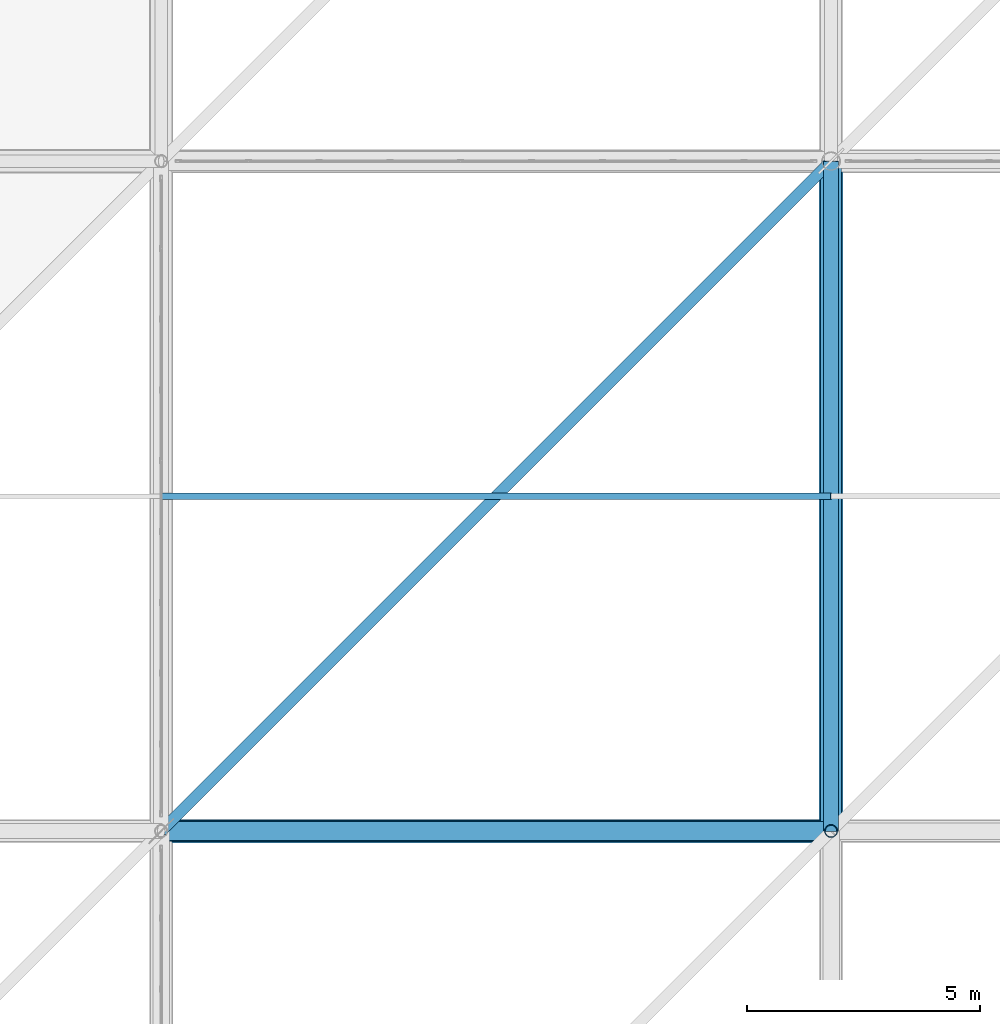
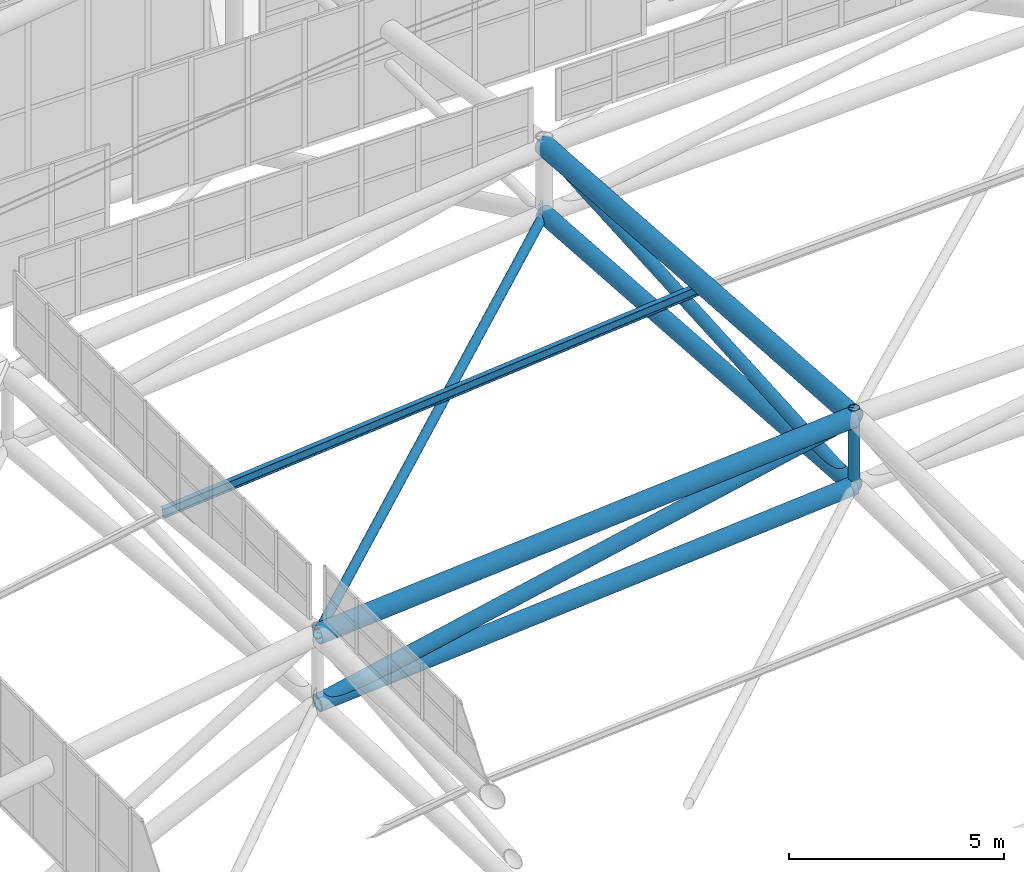
# One storey, part 206 of 397: 5 members, 4 beams.
"""IFC4 building model written with IfcOpenShell, lengths in metres."""

from ifc_helpers import new_model, si_unit, direction, frame, origin, origin_2d, place, context, subcontext, project, spatial, hollow_circle, i_section, extrude, material, material_profile, profile_set, type_object, element, save


model = new_model("IFC4")

# Units and contexts
model_context = context("Model", 3, precision=1e-05, world=origin(), true_north=direction((0.0, 1.0)))
body_context = subcontext(model_context, "Body", "Model", "MODEL_VIEW")
ifc_project = project(units=[si_unit("LENGTHUNIT", "METRE"), si_unit("AREAUNIT", "SQUARE_METRE"), si_unit("VOLUMEUNIT", "CUBIC_METRE"), si_unit("PLANEANGLEUNIT", "RADIAN"), si_unit("MASSUNIT", "GRAM", prefix="KILO")], contexts=[model_context])

# Site, building, storey
site_placement = place(None, origin())
site = spatial("IfcSite", under=ifc_project, at=site_placement, CompositionType="ELEMENT")
building_placement = place(site_placement, origin())
building = spatial("IfcBuilding", under=site, at=building_placement, Name="Qandorah Velis Arena", CompositionType="ELEMENT")
storey_placement = place(building_placement, frame((0.0, 0.0, 27.5)))
storey = spatial("IfcBuildingStorey", under=building, at=storey_placement, Name="RF", CompositionType="ELEMENT", Elevation=27.5)

# Member
ifc_material_1 = material(Name="Steel S355", Category="steel")
ifc_material_profile_1 = material_profile(ifc_material_1, i_section(OverallWidth=0.135009765625, OverallDepth=0.27001953125, WebThickness=0.006591796875, FlangeThickness=0.01025390625, FilletRadius=0.014892578125, at=origin_2d()), Name="IPE 270")
ifc_profile_set_1 = profile_set([ifc_material_profile_1], Name="Steel S355")
member_type_1 = type_object("IfcMemberType", Name="STR-PRL-IPE270", PredefinedType="PURLIN", material=ifc_profile_set_1)
member_1_placement = place(storey_placement, frame((28.800048828125, 93.60009765625, 7.94140625), z_axis=(0.995870339453, 0.0, 0.090786931865), x_axis=(0.0, 1.0, 0.0)))
element("IfcMember", 1, at=member_1_placement, inside=storey, type_object=member_type_1, Name="Arena roof purlin PRL-1.5", PredefinedType="PURLIN", context=body_context, shape_type="SweptSolid", body=[
    extrude(i_section(OverallWidth=0.135009765625, OverallDepth=0.27001953125, WebThickness=0.006591796875, FlangeThickness=0.01025390625, FilletRadius=0.014892578125, at=origin_2d()), origin(), (0.0, 0.0, 1.0), 14.459716796875),
])

# Beams
ifc_material_profile_2 = material_profile(ifc_material_1, hollow_circle(Radius=0.228515625, WallThickness=0.01611328125, at=origin_2d()), Name="CHS 457x16")
ifc_profile_set_2 = profile_set([ifc_material_profile_2], Name="Steel S355")
beam_type_1 = type_object("IfcBeamType", Name="STR-SFC-CHS457X16", PredefinedType="USERDEFINED", material=ifc_profile_set_2)
beam_1_placement = place(storey_placement, frame((43.199951171875, 86.39990234375, 8.038818359375), z_axis=(0.0, 0.997455179088, -0.071296323263), x_axis=(-1.0, 0.0, 0.0)))
element("IfcBeam", 2, at=beam_1_placement, inside=storey, type_object=beam_type_1, Name="Space frame roof truss bottom chord Y 2.5", ObjectType="ROOF TRUSS", PredefinedType="USERDEFINED", context=body_context, shape_type="SweptSolid", body=[
    extrude(hollow_circle(Radius=0.228515625, WallThickness=0.01611328125, at=origin_2d()), origin(), (0.0, 0.0, 1.0), 14.436767578125),
])
beam_2_placement = place(storey_placement, frame((28.800048828125, 86.39990234375, 6.90771484375), z_axis=(0.996929199686, 0.0, 0.078308178464), x_axis=(0.0, 1.0, 0.0)))
element("IfcBeam", 3, at=beam_2_placement, inside=storey, type_object=beam_type_1, Name="Space frame roof truss bottom chord X 1.5", ObjectType="ROOF TRUSS", PredefinedType="USERDEFINED", context=body_context, shape_type="SweptSolid", body=[
    extrude(hollow_circle(Radius=0.228515625, WallThickness=0.01611328125, at=origin_2d()), origin(), (0.0, 0.0, 1.0), 14.4443359375),
])
ifc_material_profile_3 = material_profile(ifc_material_1, hollow_circle(Radius=0.25390625, WallThickness=0.02001953125, at=origin_2d()), Name="CHS 508x20")
ifc_profile_set_3 = profile_set([ifc_material_profile_3], Name="Steel S355")
beam_type_2 = type_object("IfcBeamType", Name="STR-SFC-CHS508X20", PredefinedType="USERDEFINED", material=ifc_profile_set_3)
beam_3_placement = place(storey_placement, frame((43.199951171875, 86.39990234375, 9.98876953125), z_axis=(0.0, 0.997455179088, -0.071296323263), x_axis=(-1.0, 0.0, 0.0)))
element("IfcBeam", 4, at=beam_3_placement, inside=storey, type_object=beam_type_2, Name="Space frame roof truss top chord Y 2.5", ObjectType="ROOF TRUSS", PredefinedType="USERDEFINED", context=body_context, shape_type="SweptSolid", body=[
    extrude(hollow_circle(Radius=0.25390625, WallThickness=0.02001953125, at=origin_2d()), origin(), (0.0, 0.0, 1.0), 14.436767578125),
])
beam_4_placement = place(storey_placement, frame((28.800048828125, 86.39990234375, 8.857666015625), z_axis=(0.996929199686, 0.0, 0.078308178464), x_axis=(0.0, 1.0, 0.0)))
element("IfcBeam", 5, at=beam_4_placement, inside=storey, type_object=beam_type_2, Name="Space frame roof truss top chord X 1.5", ObjectType="ROOF TRUSS", PredefinedType="USERDEFINED", context=body_context, shape_type="SweptSolid", body=[
    extrude(hollow_circle(Radius=0.25390625, WallThickness=0.02001953125, at=origin_2d()), origin(), (0.0, 0.0, 1.0), 14.4443359375),
])

# Members
ifc_material_profile_4 = material_profile(ifc_material_1, hollow_circle(Radius=0.122314453125, WallThickness=0.012451171875, at=origin_2d()), Name="CHS 244.5x12.5")
ifc_profile_set_4 = profile_set([ifc_material_profile_4], Name="Steel S355")
member_type_2 = type_object("IfcMemberType", Name="STR-SFD-CHS244X12", PredefinedType="STRUT", material=ifc_profile_set_4)
member_2_placement = place(storey_placement, frame((43.199951171875, 100.800048828125, 7.009521484375), z_axis=(-0.704206815932, -0.704218755284, 0.090380889027), x_axis=(0.707112775369, -0.707100786953, 0.0)))
element("IfcMember", 6, at=member_2_placement, inside=storey, type_object=member_type_2, Name="Space frame roof spatial diagonal 1.5", PredefinedType="STRUT", context=body_context, shape_type="SweptSolid", body=[
    extrude(hollow_circle(Radius=0.122314453125, WallThickness=0.012451171875, at=origin_2d()), origin(), (0.0, 0.0, 1.0), 20.448486328125),
])
ifc_material_profile_5 = material_profile(ifc_material_1, hollow_circle(Radius=0.136474609375, WallThickness=0.010009765625, at=origin_2d()), Name="CHS 273x10")
ifc_profile_set_5 = profile_set([ifc_material_profile_5], Name="Steel S355")
member_type_3 = type_object("IfcMemberType", Name="STR-SFD-CHS273X10", PredefinedType="STRUT", material=ifc_profile_set_5)
member_3_placement = place(storey_placement, frame((43.199951171875, 86.39990234375, 8.038818359375), z_axis=(0.0, 0.0, 1.0), x_axis=(1.0, 0.0, 0.0)))
element("IfcMember", 7, at=member_3_placement, inside=storey, type_object=member_type_3, Name="Space frame roof vertical post 2.5", PredefinedType="STRUT", context=body_context, shape_type="SweptSolid", body=[
    extrude(hollow_circle(Radius=0.136474609375, WallThickness=0.010009765625, at=origin_2d()), origin(), (0.0, 0.0, 1.0), 2.2099609375),
])
ifc_material_profile_6 = material_profile(ifc_material_1, hollow_circle(Radius=0.161865234375, WallThickness=0.012451171875, at=origin_2d()), Name="CHS 323.9x12.5")
ifc_profile_set_6 = profile_set([ifc_material_profile_6], Name="Steel S355")
member_type_4 = type_object("IfcMemberType", Name="STR-SFD-CHS323X12", PredefinedType="CHORD", material=ifc_profile_set_6)
member_4_placement = place(storey_placement, frame((43.199951171875, 86.39990234375, 8.038818359375), z_axis=(0.0, 0.9979624867, 0.06380341009), x_axis=(-1.0, 0.0, 0.0)))
element("IfcMember", 8, at=member_4_placement, inside=storey, type_object=member_type_4, Name="Space frame roof diagonal Y 2.5", PredefinedType="CHORD", context=body_context, shape_type="SweptSolid", body=[
    extrude(hollow_circle(Radius=0.161865234375, WallThickness=0.012451171875, at=origin_2d()), origin(), (0.0, 0.0, 1.0), 14.429443359375),
])
ifc_material_2 = material(Name="Steel S460", Category="steel")
ifc_material_profile_7 = material_profile(ifc_material_2, hollow_circle(Radius=0.203125, WallThickness=0.02001953125, at=origin_2d()), Name="CHS 406.4x20")
ifc_profile_set_7 = profile_set([ifc_material_profile_7], Name="Steel S460")
member_type_5 = type_object("IfcMemberType", Name="STR-SFD-CHS406X20", PredefinedType="STRUT", material=ifc_profile_set_7)
member_5_placement = place(storey_placement, frame((28.800048828125, 86.39990234375, 6.90771484375), z_axis=(0.977866904771, 0.0, 0.209227905771), x_axis=(0.0, 1.0, 0.0)))
element("IfcMember", 9, at=member_5_placement, inside=storey, type_object=member_type_5, Name="Space frame roof diagonal X 1.5", PredefinedType="STRUT", context=body_context, shape_type="SweptSolid", body=[
    extrude(hollow_circle(Radius=0.203125, WallThickness=0.02001953125, at=origin_2d()), origin(), (0.0, 0.0, 1.0), 14.725830078125),
])

save(model, "model.ifc")
